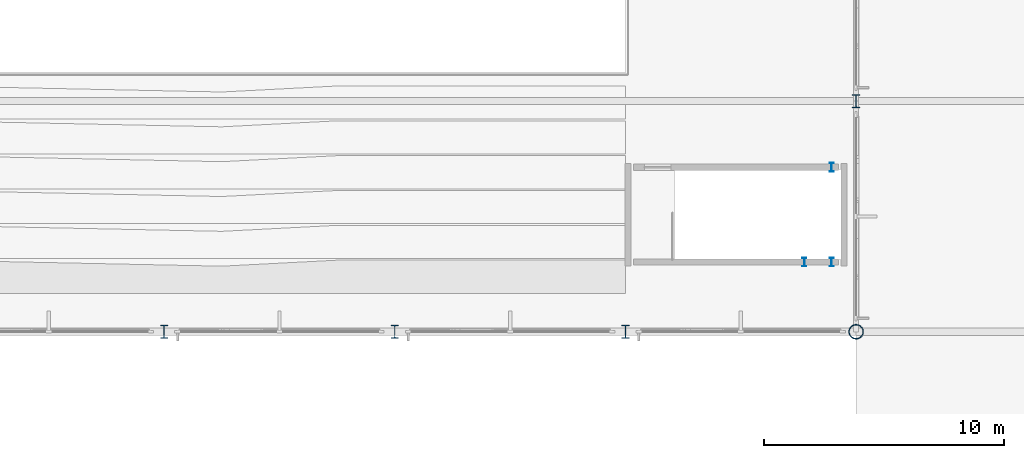
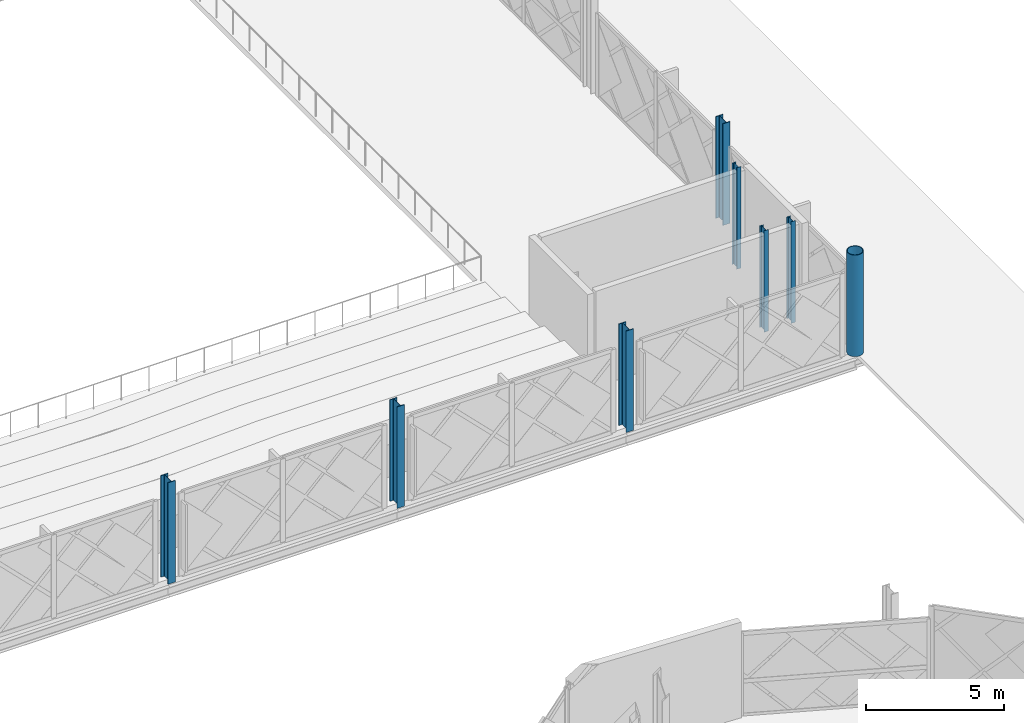
# One storey, part 20 of 101: 8 columns.
"""IFC4 building model written with IfcOpenShell, lengths in metres."""

import ifcopenshell
import ifcopenshell.guid

model = None  # the IFC model being written
_history = None  # IfcOwnerHistory: only IFC2X3 demands one
_inside = {}  # id of a spatial element -> (the spatial element, [elements in it])
_under = {}  # id of a project, library or spatial element -> (it, [spatial elements below it])
_declared = {}  # id of a project -> (the project, [libraries it declares])
_typed = {}  # id of a type object -> (the type object, [elements of that type])
_made_of = {}  # id of a material, layer set ... -> (it, [elements and type objects made of it])


def new_model(schema):
    """Start an empty IFC model of exactly this schema.

    Asked for "IFC4X3", IfcOpenShell would pick the latest addendum, in which some entities
    have other attributes; the version numbers below select the first issue.
    IFC2X3 requires an IfcOwnerHistory on every rooted entity: one is made here for all.
    """
    global model, _history
    if schema == "IFC4X3":
        model = ifcopenshell.file(schema_version=(4, 3, 0, 0))
    else:
        model = ifcopenshell.file(schema=schema)
    _inside.clear()
    _under.clear()
    _declared.clear()
    _typed.clear()
    _made_of.clear()
    _history = None
    if model.schema == "IFC2X3":
        org = make("IfcOrganization", Name="unknown")
        user = make(
            "IfcPersonAndOrganization",
            ThePerson=make("IfcPerson", FamilyName="unknown"),
            TheOrganization=org,
        )
        app = make(
            "IfcApplication",
            ApplicationDeveloper=org,
            Version="unknown",
            ApplicationFullName="unknown",
            ApplicationIdentifier="unknown",
        )
        _history = make(
            "IfcOwnerHistory",
            OwningUser=user,
            OwningApplication=app,
            ChangeAction="ADDED",
            CreationDate=0,
        )
    return model


def make(cls, **values):
    """One entity of the class cls with the attributes given. An attribute that is None is left unset."""
    return model.create_entity(
        cls, **{name: value for name, value in values.items() if value is not None}
    )


def rooted(cls, **values):
    """An entity with a GlobalId (a new one), such as an element, a storey or a relation."""
    return make(cls, GlobalId=ifcopenshell.guid.new(), OwnerHistory=_history, **values)


def si_unit(unit_type, name, prefix=None):
    """IfcSIUnit, for example si_unit("LENGTHUNIT", "METRE", prefix="MILLI")."""
    return make("IfcSIUnit", UnitType=unit_type, Prefix=prefix, Name=name)


def assignment(units):
    """IfcUnitAssignment: the units of a project."""
    return None if units is None else make("IfcUnitAssignment", Units=units)


def point(xyz):
    """IfcCartesianPoint."""
    return None if xyz is None else make("IfcCartesianPoint", Coordinates=xyz)


def direction(xyz):
    """IfcDirection."""
    return None if xyz is None else make("IfcDirection", DirectionRatios=xyz)


def frame(location, z_axis=None, x_axis=None):
    """IfcAxis2Placement3D, a coordinate frame: its origin and axes. An axis left out is left unset."""
    return make(
        "IfcAxis2Placement3D",
        Location=point(location),
        Axis=direction(z_axis),
        RefDirection=direction(x_axis),
    )


def frame_2d(location, x_axis=None):
    """IfcAxis2Placement2D, a coordinate frame in the plane: its origin and x axis."""
    return make(
        "IfcAxis2Placement2D", Location=point(location), RefDirection=direction(x_axis)
    )


def origin():
    """The frame at (0, 0, 0) with its axes left unset."""
    return frame((0.0, 0.0, 0.0))


def origin_2d():
    """The frame at (0, 0) in the plane with its x axis left unset."""
    return frame_2d((0.0, 0.0))


def place(relative_to, where):
    """IfcLocalPlacement: puts the frame where relative to a parent placement (None: the world)."""
    return make(
        "IfcLocalPlacement", PlacementRelTo=relative_to, RelativePlacement=where
    )


def context(
    kind, dimensions, precision=None, world=None, true_north=None, identifier=None
):
    """IfcGeometricRepresentationContext, for example the 3D "Model" context."""
    return make(
        "IfcGeometricRepresentationContext",
        ContextIdentifier=identifier,
        ContextType=kind,
        CoordinateSpaceDimension=dimensions,
        Precision=precision,
        WorldCoordinateSystem=world,
        TrueNorth=true_north,
    )


def subcontext(parent, identifier, kind, view, scale=None):
    """IfcGeometricRepresentationSubContext, for example "Body" below "Model"."""
    return make(
        "IfcGeometricRepresentationSubContext",
        ContextIdentifier=identifier,
        ContextType=kind,
        ParentContext=parent,
        TargetScale=scale,
        TargetView=view,
    )


def project(units=None, contexts=None):
    """IfcProject with its units and contexts."""
    return rooted(
        "IfcProject",
        Name="project",
        RepresentationContexts=contexts,
        UnitsInContext=assignment(units),
    )


def spatial(cls, under=None, at=None, **own):
    """A site, building, storey or space (cls), placed at a placement, below another one or the project."""
    s = rooted(cls, ObjectPlacement=at, **own)
    if under is not None:
        _under.setdefault(under.id(), (under, []))[1].append(s)
    return s


def profile(cls, at=None, kind="AREA", **sizes):
    """A parametric profile (cls). Its sizes go by their IFC names, for example OverallWidth=200.0."""
    return make(cls, ProfileType=kind, Position=at, **sizes)


def hollow_circle(**sizes):
    """IfcCircleHollowProfileDef."""
    return profile("IfcCircleHollowProfileDef", **sizes)


def i_section(**sizes):
    """IfcIShapeProfileDef."""
    return profile("IfcIShapeProfileDef", **sizes)


def extrude(swept, where, along, depth):
    """IfcExtrudedAreaSolid: the profile swept, set in the frame where, extruded along a direction by depth."""
    return make(
        "IfcExtrudedAreaSolid",
        SweptArea=swept,
        Position=where,
        ExtrudedDirection=direction(along),
        Depth=depth,
    )


def shape(context_of_items, identifier, shape_type, items):
    """IfcShapeRepresentation: the items that make up one representation, for example the "Body"."""
    return make(
        "IfcShapeRepresentation",
        ContextOfItems=context_of_items,
        RepresentationIdentifier=identifier,
        RepresentationType=shape_type,
        Items=items,
    )


def material(Name=None, Category=None):
    """IfcMaterial."""
    return make("IfcMaterial", Name=Name, Category=Category)


def material_profile(
    of_material, cross_section, Name=None, Category=None, Priority=None
):
    """IfcMaterialProfile: a cross section and its material."""
    return make(
        "IfcMaterialProfile",
        Name=Name,
        Material=of_material,
        Profile=cross_section,
        Priority=Priority,
        Category=Category,
    )


def profile_set(profiles, Name=None, composite=None):
    """IfcMaterialProfileSet."""
    return make(
        "IfcMaterialProfileSet",
        Name=Name,
        MaterialProfiles=profiles,
        CompositeProfile=composite,
    )


def made_of(thing, what):
    """Note that an element or type object is made of a material, layer set ...; save() writes the relation."""
    if what is not None:
        _made_of.setdefault(what.id(), (what, []))[1].append(thing)
    return thing


def type_object(cls, material=None, **own):
    """A type object (cls), such as IfcWallType, which elements share."""
    return made_of(rooted(cls, **own), material)


def element(
    cls,
    number,
    at=None,
    inside=None,
    cuts=None,
    type_object=None,
    material=None,
    context=None,
    identifier="Body",
    shape_type=None,
    held_by="IfcProductDefinitionShape",
    body=None,
    shapes=None,
    **own,
):
    """One element of the class cls, such as IfcWall. Its Tag is "e" and its number.

    at: its placement. inside: the storey or other place that contains it. cuts: it is an
    opening in that element (IfcRelVoidsElement). A single representation is given by context,
    identifier, shape_type and body (its items); several are given by shapes. held_by: the class
    of the entity that holds the representations. save() writes the other relations.
    """
    e = rooted(cls, Tag="e%d" % number, ObjectPlacement=at, **own)
    if body is not None:
        shapes = [shape(context, identifier, shape_type, body)]
    if shapes is not None:
        e.Representation = make(held_by, Representations=shapes)
    if inside is not None:
        _inside.setdefault(inside.id(), (inside, []))[1].append(e)
    if cuts is not None:
        rooted(
            "IfcRelVoidsElement", RelatingBuildingElement=cuts, RelatedOpeningElement=e
        )
    if type_object is not None:
        _typed.setdefault(type_object.id(), (type_object, []))[1].append(e)
    return made_of(e, material)


def aggregate(whole, parts):
    """IfcRelAggregates: a whole, such as a stair, and the parts it consists of."""
    return rooted("IfcRelAggregates", RelatingObject=whole, RelatedObjects=parts)


def save(model, path):
    """Write the relations noted so far, then the file.

    IfcRelAggregates (storeys below a building ...), IfcRelContainedInSpatialStructure (elements
    in a storey), IfcRelDefinesByType, IfcRelAssociatesMaterial and IfcRelDeclares: one each for
    every whole, place, type object, material and project.
    """
    for whole, parts in _under.values():
        aggregate(whole, parts)
    for where, things in _inside.values():
        rooted(
            "IfcRelContainedInSpatialStructure",
            RelatedElements=things,
            RelatingStructure=where,
        )
    for kind, things in _typed.values():
        rooted("IfcRelDefinesByType", RelatedObjects=things, RelatingType=kind)
    for what, things in _made_of.values():
        rooted("IfcRelAssociatesMaterial", RelatedObjects=things, RelatingMaterial=what)
    for by, libraries in _declared.values():
        rooted("IfcRelDeclares", RelatingContext=by, RelatedDefinitions=libraries)
    model.write(path)


model = new_model("IFC4")

# Units and contexts
model_context = context("Model", 3, precision=1e-05, world=origin(), true_north=direction((0.0, 1.0)))
body_context = subcontext(model_context, "Body", "Model", "MODEL_VIEW")
ifc_project = project(units=[si_unit("LENGTHUNIT", "METRE"), si_unit("AREAUNIT", "SQUARE_METRE"), si_unit("VOLUMEUNIT", "CUBIC_METRE"), si_unit("PLANEANGLEUNIT", "RADIAN"), si_unit("MASSUNIT", "GRAM", prefix="KILO")], contexts=[model_context])

# Site, building, storey
site_placement = place(None, origin())
site = spatial("IfcSite", under=ifc_project, at=site_placement, CompositionType="ELEMENT")
building_placement = place(site_placement, origin())
building = spatial("IfcBuilding", under=site, at=building_placement, Name="Zevrakil Square Congress Hotel", CompositionType="ELEMENT")
storey_placement = place(building_placement, frame((0.0, 0.0, 5.39990234375)))
storey = spatial("IfcBuildingStorey", under=building, at=storey_placement, Name="L02", CompositionType="ELEMENT", Elevation=5.39990234375)

# Columns
ifc_material_1 = material(Name="Steel S355", Category="steel")
ifc_material_profile_1 = material_profile(ifc_material_1, hollow_circle(Radius=0.304931640625, WallThickness=0.02490234375, at=origin_2d()), Name="CHS 610x25")
ifc_profile_set_1 = profile_set([ifc_material_profile_1], Name="Steel S355")
column_type_1 = type_object("IfcColumnType", Name="COL-CHS610", PredefinedType="COLUMN", material=ifc_profile_set_1)
column_placement = place(storey_placement, frame((165.60009765625, 64.800048828125, 0.0), z_axis=(0.0, 0.0, 1.0), x_axis=(1.0, 0.0, 0.0)))
element("IfcColumn", 1, at=column_placement, inside=storey, type_object=column_type_1, Name="L02 column C-235", PredefinedType="COLUMN", context=body_context, shape_type="SweptSolid", body=[
    extrude(hollow_circle(Radius=0.304931640625, WallThickness=0.02490234375, at=origin_2d()), origin(), (0.0, 0.0, 1.0), 4.5),
])
ifc_material_2 = material(Name="Steel S355", Category="steel")
ifc_material_profile_2 = material_profile(ifc_material_2, i_section(OverallWidth=0.300048828125, OverallDepth=0.550048828125, WebThickness=0.014892578125, FlangeThickness=0.029052734375, FilletRadius=0.027099609375, at=origin_2d()), Name="HEB 550")
ifc_profile_set_2 = profile_set([ifc_material_profile_2], Name="Steel S355")
column_type_2 = type_object("IfcColumnType", Name="COL-HEB550", PredefinedType="COLUMN", material=ifc_profile_set_2)
for number, where, z_axis, x_axis, name in (
    (2, (136.800048828125, 64.800048828125, 0.0), (0.0, 0.0, 1.0), (1.0, 0.0, 0.0), "L02 column C-210"),
    (3, (146.39990234375, 64.800048828125, 0.0), (0.0, 0.0, 1.0), (1.0, 0.0, 0.0), "L02 column C-217"),
    (4, (156.0, 64.800048828125, 0.0), (0.0, 0.0, 1.0), (1.0, 0.0, 0.0), "L02 column C-226"),
    (5, (165.60009765625, 74.39990234375, 0.0), (0.0, 0.0, 1.0), (1.0, 0.0, 0.0), "L02 column C-236"),
):
    element("IfcColumn", number, at=place(storey_placement, frame(where, z_axis=z_axis, x_axis=x_axis)), inside=storey, type_object=column_type_2, Name=name, PredefinedType="COLUMN", context=body_context, shape_type="SweptSolid", body=[
        extrude(i_section(OverallWidth=0.300048828125, OverallDepth=0.550048828125, WebThickness=0.014892578125, FlangeThickness=0.029052734375, FilletRadius=0.027099609375, at=origin_2d()), origin(), (0.0, 0.0, 1.0), 4.5),
    ])
ifc_material_3 = material(Name="Steel S355", Category="steel")
ifc_material_profile_3 = material_profile(ifc_material_3, i_section(OverallWidth=0.169921875, OverallDepth=0.360107421875, WebThickness=0.008056640625, FlangeThickness=0.0126953125, FilletRadius=0.01806640625, at=origin_2d()), Name="IPE 360")
ifc_profile_set_3 = profile_set([ifc_material_profile_3], Name="Steel S355")
column_type_3 = type_object("IfcColumnType", Name="COL-PILASTER-SHS180", PredefinedType="PILASTER", material=ifc_profile_set_3)
for number, where, z_axis, x_axis, name in (
    (6, (163.449951171875, 67.699951171875, 0.0), (0.0, 0.0, 1.0), (1.0, 0.0, 0.0), "L02 ST09 stair shaft post 1"),
    (7, (164.580078125, 67.699951171875, 0.0), (0.0, 0.0, 1.0), (1.0, 0.0, 0.0), "L02 ST09 stair shaft post 2"),
    (8, (164.580078125, 71.64990234375, 0.0), (0.0, 0.0, 1.0), (1.0, 0.0, 0.0), "L02 ST09 stair shaft post 3"),
):
    element("IfcColumn", number, at=place(storey_placement, frame(where, z_axis=z_axis, x_axis=x_axis)), inside=storey, type_object=column_type_3, Name=name, PredefinedType="PILASTER", context=body_context, shape_type="SweptSolid", body=[
        extrude(i_section(OverallWidth=0.169921875, OverallDepth=0.360107421875, WebThickness=0.008056640625, FlangeThickness=0.0126953125, FilletRadius=0.01806640625, at=origin_2d()), origin(), (0.0, 0.0, 1.0), 4.5),
    ])

save(model, "model.ifc")
